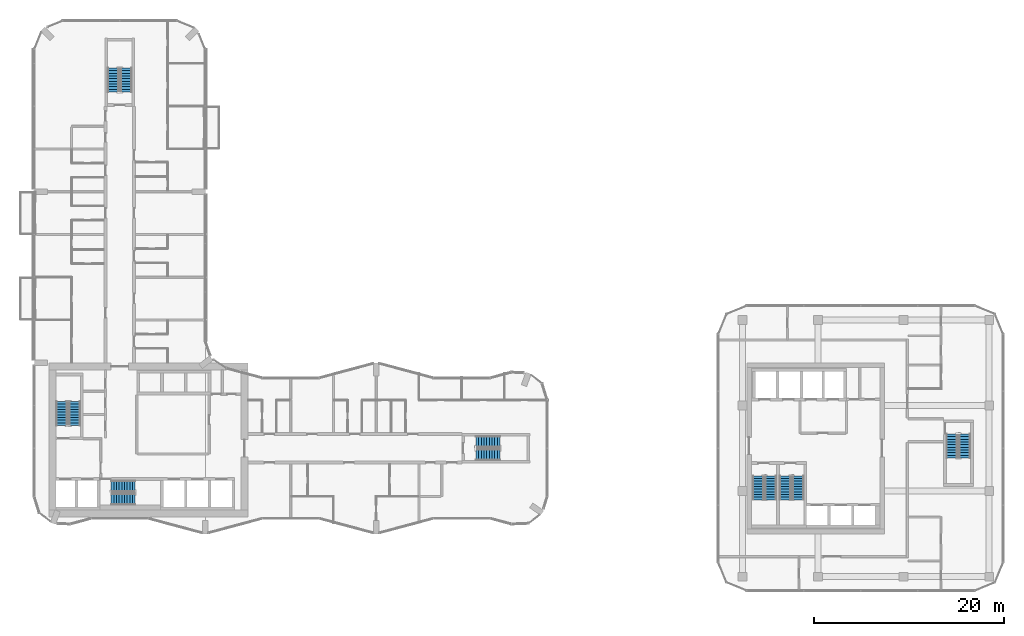
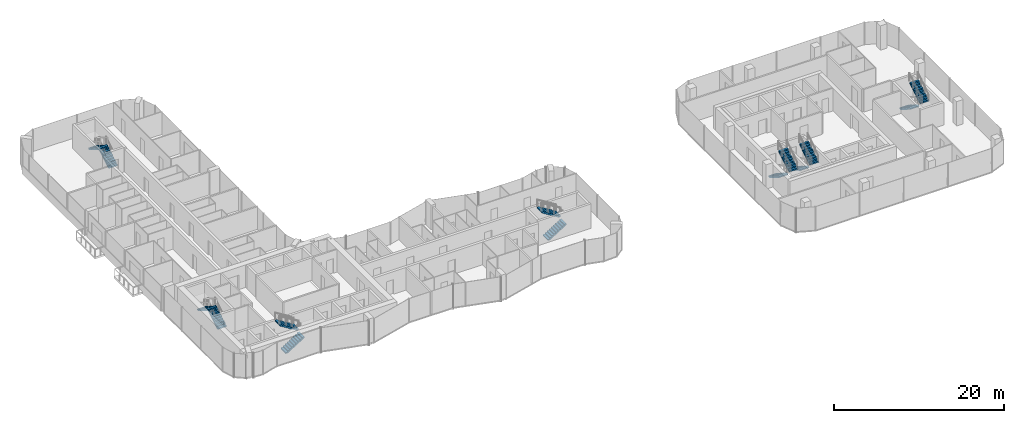
# One storey, part 21 of 24: 14 stair flights, 7 elements without a shape of their own.
"""IFC4 building model written with IfcOpenShell, lengths in metres."""

import ifcopenshell
import ifcopenshell.guid

model = None  # the IFC model being written
_history = None  # IfcOwnerHistory: only IFC2X3 demands one
_inside = {}  # id of a spatial element -> (the spatial element, [elements in it])
_under = {}  # id of a project, library or spatial element -> (it, [spatial elements below it])
_declared = {}  # id of a project -> (the project, [libraries it declares])
_typed = {}  # id of a type object -> (the type object, [elements of that type])
_made_of = {}  # id of a material, layer set ... -> (it, [elements and type objects made of it])


def new_model(schema):
    """Start an empty IFC model of exactly this schema.

    Asked for "IFC4X3", IfcOpenShell would pick the latest addendum, in which some entities
    have other attributes; the version numbers below select the first issue.
    IFC2X3 requires an IfcOwnerHistory on every rooted entity: one is made here for all.
    """
    global model, _history
    if schema == "IFC4X3":
        model = ifcopenshell.file(schema_version=(4, 3, 0, 0))
    else:
        model = ifcopenshell.file(schema=schema)
    _inside.clear()
    _under.clear()
    _declared.clear()
    _typed.clear()
    _made_of.clear()
    _history = None
    if model.schema == "IFC2X3":
        org = make("IfcOrganization", Name="unknown")
        user = make(
            "IfcPersonAndOrganization",
            ThePerson=make("IfcPerson", FamilyName="unknown"),
            TheOrganization=org,
        )
        app = make(
            "IfcApplication",
            ApplicationDeveloper=org,
            Version="unknown",
            ApplicationFullName="unknown",
            ApplicationIdentifier="unknown",
        )
        _history = make(
            "IfcOwnerHistory",
            OwningUser=user,
            OwningApplication=app,
            ChangeAction="ADDED",
            CreationDate=0,
        )
    return model


def make(cls, **values):
    """One entity of the class cls with the attributes given. An attribute that is None is left unset."""
    return model.create_entity(
        cls, **{name: value for name, value in values.items() if value is not None}
    )


def rooted(cls, **values):
    """An entity with a GlobalId (a new one), such as an element, a storey or a relation."""
    return make(cls, GlobalId=ifcopenshell.guid.new(), OwnerHistory=_history, **values)


def si_unit(unit_type, name, prefix=None):
    """IfcSIUnit, for example si_unit("LENGTHUNIT", "METRE", prefix="MILLI")."""
    return make("IfcSIUnit", UnitType=unit_type, Prefix=prefix, Name=name)


def assignment(units):
    """IfcUnitAssignment: the units of a project."""
    return None if units is None else make("IfcUnitAssignment", Units=units)


def point(xyz):
    """IfcCartesianPoint."""
    return None if xyz is None else make("IfcCartesianPoint", Coordinates=xyz)


def direction(xyz):
    """IfcDirection."""
    return None if xyz is None else make("IfcDirection", DirectionRatios=xyz)


def frame(location, z_axis=None, x_axis=None):
    """IfcAxis2Placement3D, a coordinate frame: its origin and axes. An axis left out is left unset."""
    return make(
        "IfcAxis2Placement3D",
        Location=point(location),
        Axis=direction(z_axis),
        RefDirection=direction(x_axis),
    )


def origin():
    """The frame at (0, 0, 0) with its axes left unset."""
    return frame((0.0, 0.0, 0.0))


def place(relative_to, where):
    """IfcLocalPlacement: puts the frame where relative to a parent placement (None: the world)."""
    return make(
        "IfcLocalPlacement", PlacementRelTo=relative_to, RelativePlacement=where
    )


def context(
    kind, dimensions, precision=None, world=None, true_north=None, identifier=None
):
    """IfcGeometricRepresentationContext, for example the 3D "Model" context."""
    return make(
        "IfcGeometricRepresentationContext",
        ContextIdentifier=identifier,
        ContextType=kind,
        CoordinateSpaceDimension=dimensions,
        Precision=precision,
        WorldCoordinateSystem=world,
        TrueNorth=true_north,
    )


def subcontext(parent, identifier, kind, view, scale=None):
    """IfcGeometricRepresentationSubContext, for example "Body" below "Model"."""
    return make(
        "IfcGeometricRepresentationSubContext",
        ContextIdentifier=identifier,
        ContextType=kind,
        ParentContext=parent,
        TargetScale=scale,
        TargetView=view,
    )


def project(units=None, contexts=None):
    """IfcProject with its units and contexts."""
    return rooted(
        "IfcProject",
        Name="project",
        RepresentationContexts=contexts,
        UnitsInContext=assignment(units),
    )


def spatial(cls, under=None, at=None, **own):
    """A site, building, storey or space (cls), placed at a placement, below another one or the project."""
    s = rooted(cls, ObjectPlacement=at, **own)
    if under is not None:
        _under.setdefault(under.id(), (under, []))[1].append(s)
    return s


def polyline(points):
    """IfcPolyline through the points."""
    return make("IfcPolyline", Points=[point(p) for p in points])


def outline(outer, holes=None, kind="AREA"):
    """IfcArbitraryClosedProfileDef: a profile drawn as a closed curve; with holes, ...WithVoids."""
    if holes is None:
        return make("IfcArbitraryClosedProfileDef", ProfileType=kind, OuterCurve=outer)
    return make(
        "IfcArbitraryProfileDefWithVoids",
        ProfileType=kind,
        OuterCurve=outer,
        InnerCurves=holes,
    )


def extrude(swept, where, along, depth):
    """IfcExtrudedAreaSolid: the profile swept, set in the frame where, extruded along a direction by depth."""
    return make(
        "IfcExtrudedAreaSolid",
        SweptArea=swept,
        Position=where,
        ExtrudedDirection=direction(along),
        Depth=depth,
    )


def shape(context_of_items, identifier, shape_type, items):
    """IfcShapeRepresentation: the items that make up one representation, for example the "Body"."""
    return make(
        "IfcShapeRepresentation",
        ContextOfItems=context_of_items,
        RepresentationIdentifier=identifier,
        RepresentationType=shape_type,
        Items=items,
    )


def material(Name=None, Category=None):
    """IfcMaterial."""
    return make("IfcMaterial", Name=Name, Category=Category)


def made_of(thing, what):
    """Note that an element or type object is made of a material, layer set ...; save() writes the relation."""
    if what is not None:
        _made_of.setdefault(what.id(), (what, []))[1].append(thing)
    return thing


def type_object(cls, material=None, **own):
    """A type object (cls), such as IfcWallType, which elements share."""
    return made_of(rooted(cls, **own), material)


def element(
    cls,
    number,
    at=None,
    inside=None,
    cuts=None,
    type_object=None,
    material=None,
    context=None,
    identifier="Body",
    shape_type=None,
    held_by="IfcProductDefinitionShape",
    body=None,
    shapes=None,
    **own,
):
    """One element of the class cls, such as IfcWall. Its Tag is "e" and its number.

    at: its placement. inside: the storey or other place that contains it. cuts: it is an
    opening in that element (IfcRelVoidsElement). A single representation is given by context,
    identifier, shape_type and body (its items); several are given by shapes. held_by: the class
    of the entity that holds the representations. save() writes the other relations.
    """
    e = rooted(cls, Tag="e%d" % number, ObjectPlacement=at, **own)
    if body is not None:
        shapes = [shape(context, identifier, shape_type, body)]
    if shapes is not None:
        e.Representation = make(held_by, Representations=shapes)
    if inside is not None:
        _inside.setdefault(inside.id(), (inside, []))[1].append(e)
    if cuts is not None:
        rooted(
            "IfcRelVoidsElement", RelatingBuildingElement=cuts, RelatedOpeningElement=e
        )
    if type_object is not None:
        _typed.setdefault(type_object.id(), (type_object, []))[1].append(e)
    return made_of(e, material)


def aggregate(whole, parts):
    """IfcRelAggregates: a whole, such as a stair, and the parts it consists of."""
    return rooted("IfcRelAggregates", RelatingObject=whole, RelatedObjects=parts)


def save(model, path):
    """Write the relations noted so far, then the file.

    IfcRelAggregates (storeys below a building ...), IfcRelContainedInSpatialStructure (elements
    in a storey), IfcRelDefinesByType, IfcRelAssociatesMaterial and IfcRelDeclares: one each for
    every whole, place, type object, material and project.
    """
    for whole, parts in _under.values():
        aggregate(whole, parts)
    for where, things in _inside.values():
        rooted(
            "IfcRelContainedInSpatialStructure",
            RelatedElements=things,
            RelatingStructure=where,
        )
    for kind, things in _typed.values():
        rooted("IfcRelDefinesByType", RelatedObjects=things, RelatingType=kind)
    for what, things in _made_of.values():
        rooted("IfcRelAssociatesMaterial", RelatedObjects=things, RelatingMaterial=what)
    for by, libraries in _declared.values():
        rooted("IfcRelDeclares", RelatingContext=by, RelatedDefinitions=libraries)
    model.write(path)


model = new_model("IFC4")

# Units and contexts
model_context = context("Model", 3, precision=1e-05, world=origin(), true_north=direction((0.0, 1.0)))
body_context = subcontext(model_context, "Body", "Model", "MODEL_VIEW")
ifc_project = project(units=[si_unit("LENGTHUNIT", "METRE"), si_unit("AREAUNIT", "SQUARE_METRE"), si_unit("VOLUMEUNIT", "CUBIC_METRE"), si_unit("PLANEANGLEUNIT", "RADIAN"), si_unit("MASSUNIT", "GRAM", prefix="KILO")], contexts=[model_context])

# Site, building, storey
site_placement = place(None, origin())
site = spatial("IfcSite", under=ifc_project, at=site_placement, CompositionType="ELEMENT")
building_placement = place(site_placement, origin())
building = spatial("IfcBuilding", under=site, at=building_placement, Name="Plateau Cross Towers", CompositionType="ELEMENT")
storey_placement = place(building_placement, frame((0.0, 0.0, 44.300048828125)))
storey = spatial("IfcBuildingStorey", under=building, at=storey_placement, Name="L10", CompositionType="ELEMENT", Elevation=44.300048828125)

# Stair, stair flights
ifc_material = material(Name="Concrete C40/50", Category="concrete")
stair_type = type_object("IfcStairType", Name="ST-TWR", PredefinedType="HALF_TURN_STAIR", material=ifc_material)
stair_1_placement = place(storey_placement, origin())
stair_1 = element("IfcStair", 1, at=stair_1_placement, inside=storey, type_object=stair_type, Name="L10 Protected Exit Stair ST-1", PredefinedType="HALF_TURN_STAIR")
stair_flight_type = type_object("IfcStairFlightType", Name="SFL-RC", PredefinedType="STRAIGHT", material=ifc_material)
stair_flight_1_placement = place(storey_placement, frame((4.25, 11.39990234375, 0.0), z_axis=(0.0, 0.0, 1.0), x_axis=(0.0, 1.0, 0.0)))
stair_flight_1 = element("IfcStairFlight", 2, at=stair_flight_1_placement, type_object=stair_flight_type, Name="ST-1 flight 1", NumberOfRisers=10, NumberOfTreads=9, PredefinedType="STRAIGHT", RiserHeight=0.175, TreadLength=0.28, context=body_context, shape_type="SweptSolid", body=[
    extrude(outline(polyline([(-0.0048828125, -0.010009765625), (-0.0048828125, 0.0), (0.0, 0.0), (0.0, 0.175048828125), (0.280029296875, 0.175048828125), (0.280029296875, 0.35009765625), (0.56005859375, 0.35009765625), (0.56005859375, 0.52490234375), (0.840087890625, 0.52490234375), (0.840087890625, 0.699951171875), (1.1201171875, 0.699951171875), (1.1201171875, 0.875), (1.39990234375, 0.875), (1.39990234375, 1.050048828125), (1.679931640625, 1.050048828125), (1.679931640625, 1.22509765625), (1.9599609375, 1.22509765625), (1.9599609375, 1.39990234375), (2.239990234375, 1.39990234375), (2.239990234375, 1.574951171875), (2.52001953125, 1.574951171875), (2.52490234375, 1.56494140625), (2.52490234375, 1.398193359375), (2.52001953125, 1.398193359375), (0.28271484375, 0.0), (0.02001953125, 0.0), (0.02001953125, -0.010009765625), (-0.0048828125, -0.010009765625)])), frame((0.0, 0.60009765625, 0.0), z_axis=(0.0, -1.0, 0.0), x_axis=(1.0, 0.0, 0.0)), (0.0, 0.0, 1.0), 1.199951171875),
])
stair_flight_2_placement = place(storey_placement, frame((2.89990234375, 13.919921875, 1.75), z_axis=(0.0, 0.0, 1.0), x_axis=(0.0, -1.0, 0.0)))
stair_flight_2 = element("IfcStairFlight", 3, at=stair_flight_2_placement, type_object=stair_flight_type, Name="ST-1 flight 2", NumberOfRisers=10, NumberOfTreads=9, PredefinedType="STRAIGHT", RiserHeight=0.175, TreadLength=0.28, context=body_context, shape_type="SweptSolid", body=[
    extrude(outline(polyline([(-0.0048828125, -0.010009765625), (-0.0048828125, 0.0), (0.0, 0.0), (0.0, 0.175048828125), (0.280029296875, 0.175048828125), (0.280029296875, 0.35009765625), (0.56005859375, 0.35009765625), (0.56005859375, 0.52490234375), (0.840087890625, 0.52490234375), (0.840087890625, 0.699951171875), (1.1201171875, 0.699951171875), (1.1201171875, 0.875), (1.39990234375, 0.875), (1.39990234375, 1.050048828125), (1.679931640625, 1.050048828125), (1.679931640625, 1.22509765625), (1.9599609375, 1.22509765625), (1.9599609375, 1.39990234375), (2.239990234375, 1.39990234375), (2.239990234375, 1.574951171875), (2.52001953125, 1.574951171875), (2.52490234375, 1.56494140625), (2.52490234375, 1.398193359375), (2.52001953125, 1.398193359375), (0.28271484375, 0.0), (0.02001953125, 0.0), (0.02001953125, -0.010009765625), (-0.0048828125, -0.010009765625)])), frame((0.0, 0.60009765625, 0.0), z_axis=(0.0, -1.0, 0.0), x_axis=(1.0, 0.0, 0.0)), (0.0, 0.0, 1.0), 1.199951171875),
])
aggregate(stair_1, [stair_flight_1, stair_flight_2])

stair_2_placement = place(storey_placement, origin())
stair_2 = element("IfcStair", 4, at=stair_2_placement, inside=storey, type_object=stair_type, Name="L10 Protected Exit Stair ST-2", PredefinedType="HALF_TURN_STAIR")
stair_flight_3_placement = place(storey_placement, frame((8.10009765625, 3.64990234375, 0.0), z_axis=(0.0, 0.0, 1.0), x_axis=(1.0, 0.0, 0.0)))
stair_flight_3 = element("IfcStairFlight", 5, at=stair_flight_3_placement, type_object=stair_flight_type, Name="ST-2 flight 1", NumberOfRisers=10, NumberOfTreads=9, PredefinedType="STRAIGHT", RiserHeight=0.175, TreadLength=0.28, context=body_context, shape_type="SweptSolid", body=[
    extrude(outline(polyline([(-0.0048828125, -0.010009765625), (-0.0048828125, 0.0), (0.0, 0.0), (0.0, 0.175048828125), (0.280029296875, 0.175048828125), (0.280029296875, 0.35009765625), (0.56005859375, 0.35009765625), (0.56005859375, 0.52490234375), (0.840087890625, 0.52490234375), (0.840087890625, 0.699951171875), (1.1201171875, 0.699951171875), (1.1201171875, 0.875), (1.39990234375, 0.875), (1.39990234375, 1.050048828125), (1.679931640625, 1.050048828125), (1.679931640625, 1.22509765625), (1.9599609375, 1.22509765625), (1.9599609375, 1.39990234375), (2.239990234375, 1.39990234375), (2.239990234375, 1.574951171875), (2.52001953125, 1.574951171875), (2.52490234375, 1.56494140625), (2.52490234375, 1.398193359375), (2.52001953125, 1.398193359375), (0.28271484375, 0.0), (0.02001953125, 0.0), (0.02001953125, -0.010009765625), (-0.0048828125, -0.010009765625)])), frame((0.0, 0.60009765625, 0.0), z_axis=(0.0, -1.0, 0.0), x_axis=(1.0, 0.0, 0.0)), (0.0, 0.0, 1.0), 1.199951171875),
])
stair_flight_4_placement = place(storey_placement, frame((10.6201171875, 5.0, 1.75), z_axis=(0.0, 0.0, 1.0), x_axis=(-1.0, 0.0, 0.0)))
stair_flight_4 = element("IfcStairFlight", 6, at=stair_flight_4_placement, type_object=stair_flight_type, Name="ST-2 flight 2", NumberOfRisers=10, NumberOfTreads=9, PredefinedType="STRAIGHT", RiserHeight=0.175, TreadLength=0.28, context=body_context, shape_type="SweptSolid", body=[
    extrude(outline(polyline([(-0.0048828125, -0.010009765625), (-0.0048828125, 0.0), (0.0, 0.0), (0.0, 0.175048828125), (0.280029296875, 0.175048828125), (0.280029296875, 0.35009765625), (0.56005859375, 0.35009765625), (0.56005859375, 0.52490234375), (0.840087890625, 0.52490234375), (0.840087890625, 0.699951171875), (1.1201171875, 0.699951171875), (1.1201171875, 0.875), (1.39990234375, 0.875), (1.39990234375, 1.050048828125), (1.679931640625, 1.050048828125), (1.679931640625, 1.22509765625), (1.9599609375, 1.22509765625), (1.9599609375, 1.39990234375), (2.239990234375, 1.39990234375), (2.239990234375, 1.574951171875), (2.52001953125, 1.574951171875), (2.52490234375, 1.56494140625), (2.52490234375, 1.398193359375), (2.52001953125, 1.398193359375), (0.28271484375, 0.0), (0.02001953125, 0.0), (0.02001953125, -0.010009765625), (-0.0048828125, -0.010009765625)])), frame((0.0, 0.60009765625, 0.0), z_axis=(0.0, -1.0, 0.0), x_axis=(1.0, 0.0, 0.0)), (0.0, 0.0, 1.0), 1.199951171875),
])
aggregate(stair_2, [stair_flight_3, stair_flight_4])

stair_3_placement = place(storey_placement, origin())
stair_3 = element("IfcStair", 7, at=stair_3_placement, inside=storey, type_object=stair_type, Name="L10 Protected Exit Stair SB-1", PredefinedType="HALF_TURN_STAIR")
stair_flight_5_placement = place(storey_placement, frame((76.199951171875, 6.10009765625, 0.0), z_axis=(0.0, 0.0, 1.0), x_axis=(0.0, -1.0, 0.0)))
stair_flight_5 = element("IfcStairFlight", 8, at=stair_flight_5_placement, type_object=stair_flight_type, Name="SB-1 flight 1", NumberOfRisers=10, NumberOfTreads=9, PredefinedType="STRAIGHT", RiserHeight=0.175, TreadLength=0.28, context=body_context, shape_type="SweptSolid", body=[
    extrude(outline(polyline([(-0.0048828125, -0.010009765625), (-0.0048828125, 0.0), (0.0, 0.0), (0.0, 0.175048828125), (0.280029296875, 0.175048828125), (0.280029296875, 0.35009765625), (0.56005859375, 0.35009765625), (0.56005859375, 0.52490234375), (0.840087890625, 0.52490234375), (0.840087890625, 0.699951171875), (1.1201171875, 0.699951171875), (1.1201171875, 0.875), (1.39990234375, 0.875), (1.39990234375, 1.050048828125), (1.679931640625, 1.050048828125), (1.679931640625, 1.22509765625), (1.9599609375, 1.22509765625), (1.9599609375, 1.39990234375), (2.239990234375, 1.39990234375), (2.239990234375, 1.574951171875), (2.52001953125, 1.574951171875), (2.52490234375, 1.56494140625), (2.52490234375, 1.398193359375), (2.52001953125, 1.398193359375), (0.28271484375, 0.0), (0.02001953125, 0.0), (0.02001953125, -0.010009765625), (-0.0048828125, -0.010009765625)])), frame((0.0, 0.60009765625, 0.0), z_axis=(0.0, -1.0, 0.0), x_axis=(1.0, 0.0, 0.0)), (0.0, 0.0, 1.0), 1.199951171875),
])
stair_flight_6_placement = place(storey_placement, frame((77.550048828125, 3.580078125, 1.75), z_axis=(0.0, 0.0, 1.0), x_axis=(0.0, 1.0, 0.0)))
stair_flight_6 = element("IfcStairFlight", 9, at=stair_flight_6_placement, type_object=stair_flight_type, Name="SB-1 flight 2", NumberOfRisers=10, NumberOfTreads=9, PredefinedType="STRAIGHT", RiserHeight=0.175, TreadLength=0.28, context=body_context, shape_type="SweptSolid", body=[
    extrude(outline(polyline([(-0.0048828125, -0.010009765625), (-0.0048828125, 0.0), (0.0, 0.0), (0.0, 0.175048828125), (0.280029296875, 0.175048828125), (0.280029296875, 0.35009765625), (0.56005859375, 0.35009765625), (0.56005859375, 0.52490234375), (0.840087890625, 0.52490234375), (0.840087890625, 0.699951171875), (1.1201171875, 0.699951171875), (1.1201171875, 0.875), (1.39990234375, 0.875), (1.39990234375, 1.050048828125), (1.679931640625, 1.050048828125), (1.679931640625, 1.22509765625), (1.9599609375, 1.22509765625), (1.9599609375, 1.39990234375), (2.239990234375, 1.39990234375), (2.239990234375, 1.574951171875), (2.52001953125, 1.574951171875), (2.52490234375, 1.56494140625), (2.52490234375, 1.398193359375), (2.52001953125, 1.398193359375), (0.28271484375, 0.0), (0.02001953125, 0.0), (0.02001953125, -0.010009765625), (-0.0048828125, -0.010009765625)])), frame((0.0, 0.60009765625, 0.0), z_axis=(0.0, -1.0, 0.0), x_axis=(1.0, 0.0, 0.0)), (0.0, 0.0, 1.0), 1.199951171875),
])
aggregate(stair_3, [stair_flight_5, stair_flight_6])

stair_4_placement = place(storey_placement, origin())
stair_4 = element("IfcStair", 10, at=stair_4_placement, inside=storey, type_object=stair_type, Name="L10 Protected Exit Stair SB-2", PredefinedType="HALF_TURN_STAIR")
stair_flight_7_placement = place(storey_placement, frame((79.050048828125, 6.10009765625, 0.0), z_axis=(0.0, 0.0, 1.0), x_axis=(0.0, -1.0, 0.0)))
stair_flight_7 = element("IfcStairFlight", 11, at=stair_flight_7_placement, type_object=stair_flight_type, Name="SB-2 flight 1", NumberOfRisers=10, NumberOfTreads=9, PredefinedType="STRAIGHT", RiserHeight=0.175, TreadLength=0.28, context=body_context, shape_type="SweptSolid", body=[
    extrude(outline(polyline([(-0.0048828125, -0.010009765625), (-0.0048828125, 0.0), (0.0, 0.0), (0.0, 0.175048828125), (0.280029296875, 0.175048828125), (0.280029296875, 0.35009765625), (0.56005859375, 0.35009765625), (0.56005859375, 0.52490234375), (0.840087890625, 0.52490234375), (0.840087890625, 0.699951171875), (1.1201171875, 0.699951171875), (1.1201171875, 0.875), (1.39990234375, 0.875), (1.39990234375, 1.050048828125), (1.679931640625, 1.050048828125), (1.679931640625, 1.22509765625), (1.9599609375, 1.22509765625), (1.9599609375, 1.39990234375), (2.239990234375, 1.39990234375), (2.239990234375, 1.574951171875), (2.52001953125, 1.574951171875), (2.52490234375, 1.56494140625), (2.52490234375, 1.398193359375), (2.52001953125, 1.398193359375), (0.28271484375, 0.0), (0.02001953125, 0.0), (0.02001953125, -0.010009765625), (-0.0048828125, -0.010009765625)])), frame((0.0, 0.60009765625, 0.0), z_axis=(0.0, -1.0, 0.0), x_axis=(1.0, 0.0, 0.0)), (0.0, 0.0, 1.0), 1.199951171875),
])
stair_flight_8_placement = place(storey_placement, frame((80.39990234375, 3.580078125, 1.75), z_axis=(0.0, 0.0, 1.0), x_axis=(0.0, 1.0, 0.0)))
stair_flight_8 = element("IfcStairFlight", 12, at=stair_flight_8_placement, type_object=stair_flight_type, Name="SB-2 flight 2", NumberOfRisers=10, NumberOfTreads=9, PredefinedType="STRAIGHT", RiserHeight=0.175, TreadLength=0.28, context=body_context, shape_type="SweptSolid", body=[
    extrude(outline(polyline([(-0.0048828125, -0.010009765625), (-0.0048828125, 0.0), (0.0, 0.0), (0.0, 0.175048828125), (0.280029296875, 0.175048828125), (0.280029296875, 0.35009765625), (0.56005859375, 0.35009765625), (0.56005859375, 0.52490234375), (0.840087890625, 0.52490234375), (0.840087890625, 0.699951171875), (1.1201171875, 0.699951171875), (1.1201171875, 0.875), (1.39990234375, 0.875), (1.39990234375, 1.050048828125), (1.679931640625, 1.050048828125), (1.679931640625, 1.22509765625), (1.9599609375, 1.22509765625), (1.9599609375, 1.39990234375), (2.239990234375, 1.39990234375), (2.239990234375, 1.574951171875), (2.52001953125, 1.574951171875), (2.52490234375, 1.56494140625), (2.52490234375, 1.398193359375), (2.52001953125, 1.398193359375), (0.28271484375, 0.0), (0.02001953125, 0.0), (0.02001953125, -0.010009765625), (-0.0048828125, -0.010009765625)])), frame((0.0, 0.60009765625, 0.0), z_axis=(0.0, -1.0, 0.0), x_axis=(1.0, 0.0, 0.0)), (0.0, 0.0, 1.0), 1.199951171875),
])
aggregate(stair_4, [stair_flight_7, stair_flight_8])

stair_5_placement = place(storey_placement, origin())
stair_5 = element("IfcStair", 13, at=stair_5_placement, inside=storey, type_object=stair_type, Name="L10 Protected Exit Stair SB-3", PredefinedType="HALF_TURN_STAIR")
stair_flight_9_placement = place(storey_placement, frame((96.60009765625, 10.5, 0.0), z_axis=(0.0, 0.0, 1.0), x_axis=(0.0, -1.0, 0.0)))
stair_flight_9 = element("IfcStairFlight", 14, at=stair_flight_9_placement, type_object=stair_flight_type, Name="SB-3 flight 1", NumberOfRisers=10, NumberOfTreads=9, PredefinedType="STRAIGHT", RiserHeight=0.175, TreadLength=0.28, context=body_context, shape_type="SweptSolid", body=[
    extrude(outline(polyline([(-0.0048828125, -0.010009765625), (-0.0048828125, 0.0), (0.0, 0.0), (0.0, 0.175048828125), (0.280029296875, 0.175048828125), (0.280029296875, 0.35009765625), (0.56005859375, 0.35009765625), (0.56005859375, 0.52490234375), (0.840087890625, 0.52490234375), (0.840087890625, 0.699951171875), (1.1201171875, 0.699951171875), (1.1201171875, 0.875), (1.39990234375, 0.875), (1.39990234375, 1.050048828125), (1.679931640625, 1.050048828125), (1.679931640625, 1.22509765625), (1.9599609375, 1.22509765625), (1.9599609375, 1.39990234375), (2.239990234375, 1.39990234375), (2.239990234375, 1.574951171875), (2.52001953125, 1.574951171875), (2.52490234375, 1.56494140625), (2.52490234375, 1.398193359375), (2.52001953125, 1.398193359375), (0.28271484375, 0.0), (0.02001953125, 0.0), (0.02001953125, -0.010009765625), (-0.0048828125, -0.010009765625)])), frame((0.0, 0.60009765625, 0.0), z_axis=(0.0, -1.0, 0.0), x_axis=(1.0, 0.0, 0.0)), (0.0, 0.0, 1.0), 1.199951171875),
])
stair_flight_10_placement = place(storey_placement, frame((97.949951171875, 7.97998046875, 1.75), z_axis=(0.0, 0.0, 1.0), x_axis=(0.0, 1.0, 0.0)))
stair_flight_10 = element("IfcStairFlight", 15, at=stair_flight_10_placement, type_object=stair_flight_type, Name="SB-3 flight 2", NumberOfRisers=10, NumberOfTreads=9, PredefinedType="STRAIGHT", RiserHeight=0.175, TreadLength=0.28, context=body_context, shape_type="SweptSolid", body=[
    extrude(outline(polyline([(-0.0048828125, -0.010009765625), (-0.0048828125, 0.0), (0.0, 0.0), (0.0, 0.175048828125), (0.280029296875, 0.175048828125), (0.280029296875, 0.35009765625), (0.56005859375, 0.35009765625), (0.56005859375, 0.52490234375), (0.840087890625, 0.52490234375), (0.840087890625, 0.699951171875), (1.1201171875, 0.699951171875), (1.1201171875, 0.875), (1.39990234375, 0.875), (1.39990234375, 1.050048828125), (1.679931640625, 1.050048828125), (1.679931640625, 1.22509765625), (1.9599609375, 1.22509765625), (1.9599609375, 1.39990234375), (2.239990234375, 1.39990234375), (2.239990234375, 1.574951171875), (2.52001953125, 1.574951171875), (2.52490234375, 1.56494140625), (2.52490234375, 1.398193359375), (2.52001953125, 1.398193359375), (0.28271484375, 0.0), (0.02001953125, 0.0), (0.02001953125, -0.010009765625), (-0.0048828125, -0.010009765625)])), frame((0.0, 0.60009765625, 0.0), z_axis=(0.0, -1.0, 0.0), x_axis=(1.0, 0.0, 0.0)), (0.0, 0.0, 1.0), 1.199951171875),
])
aggregate(stair_5, [stair_flight_9, stair_flight_10])

stair_6_placement = place(storey_placement, origin())
stair_6 = element("IfcStair", 16, at=stair_6_placement, inside=storey, type_object=stair_type, Name="L10 Protected Exit Stair E", PredefinedType="HALF_TURN_STAIR")
stair_flight_11_placement = place(storey_placement, frame((46.5, 8.324951171875, 0.0), z_axis=(0.0, 0.0, 1.0), x_axis=(1.0, 0.0, 0.0)))
stair_flight_11 = element("IfcStairFlight", 17, at=stair_flight_11_placement, type_object=stair_flight_type, Name="ES-E flight 1", NumberOfRisers=10, NumberOfTreads=9, PredefinedType="STRAIGHT", RiserHeight=0.175, TreadLength=0.28, context=body_context, shape_type="SweptSolid", body=[
    extrude(outline(polyline([(-0.0048828125, -0.010009765625), (-0.0048828125, 0.0), (0.0, 0.0), (0.0, 0.175048828125), (0.280029296875, 0.175048828125), (0.280029296875, 0.35009765625), (0.56005859375, 0.35009765625), (0.56005859375, 0.52490234375), (0.840087890625, 0.52490234375), (0.840087890625, 0.699951171875), (1.1201171875, 0.699951171875), (1.1201171875, 0.875), (1.39990234375, 0.875), (1.39990234375, 1.050048828125), (1.679931640625, 1.050048828125), (1.679931640625, 1.22509765625), (1.9599609375, 1.22509765625), (1.9599609375, 1.39990234375), (2.239990234375, 1.39990234375), (2.239990234375, 1.574951171875), (2.52001953125, 1.574951171875), (2.52490234375, 1.56494140625), (2.52490234375, 1.398193359375), (2.52001953125, 1.398193359375), (0.28271484375, 0.0), (0.02001953125, 0.0), (0.02001953125, -0.010009765625), (-0.0048828125, -0.010009765625)])), frame((0.0, 0.60009765625, 0.0), z_axis=(0.0, -1.0, 0.0), x_axis=(1.0, 0.0, 0.0)), (0.0, 0.0, 1.0), 1.199951171875),
])
stair_flight_12_placement = place(storey_placement, frame((49.02001953125, 9.675048828125, 1.75), z_axis=(0.0, 0.0, 1.0), x_axis=(-1.0, 0.0, 0.0)))
stair_flight_12 = element("IfcStairFlight", 18, at=stair_flight_12_placement, type_object=stair_flight_type, Name="ES-E flight 2", NumberOfRisers=10, NumberOfTreads=9, PredefinedType="STRAIGHT", RiserHeight=0.175, TreadLength=0.28, context=body_context, shape_type="SweptSolid", body=[
    extrude(outline(polyline([(-0.0048828125, -0.010009765625), (-0.0048828125, 0.0), (0.0, 0.0), (0.0, 0.175048828125), (0.280029296875, 0.175048828125), (0.280029296875, 0.35009765625), (0.56005859375, 0.35009765625), (0.56005859375, 0.52490234375), (0.840087890625, 0.52490234375), (0.840087890625, 0.699951171875), (1.1201171875, 0.699951171875), (1.1201171875, 0.875), (1.39990234375, 0.875), (1.39990234375, 1.050048828125), (1.679931640625, 1.050048828125), (1.679931640625, 1.22509765625), (1.9599609375, 1.22509765625), (1.9599609375, 1.39990234375), (2.239990234375, 1.39990234375), (2.239990234375, 1.574951171875), (2.52001953125, 1.574951171875), (2.52490234375, 1.56494140625), (2.52490234375, 1.398193359375), (2.52001953125, 1.398193359375), (0.28271484375, 0.0), (0.02001953125, 0.0), (0.02001953125, -0.010009765625), (-0.0048828125, -0.010009765625)])), frame((0.0, 0.60009765625, 0.0), z_axis=(0.0, -1.0, 0.0), x_axis=(1.0, 0.0, 0.0)), (0.0, 0.0, 1.0), 1.199951171875),
])
aggregate(stair_6, [stair_flight_11, stair_flight_12])

stair_7_placement = place(storey_placement, origin())
stair_7 = element("IfcStair", 19, at=stair_7_placement, inside=storey, type_object=stair_type, Name="L10 Protected Exit Stair N", PredefinedType="HALF_TURN_STAIR")
stair_flight_13_placement = place(storey_placement, frame((9.675048828125, 46.5, 0.0), z_axis=(0.0, 0.0, 1.0), x_axis=(0.0, 1.0, 0.0)))
stair_flight_13 = element("IfcStairFlight", 20, at=stair_flight_13_placement, type_object=stair_flight_type, Name="ES-N flight 1", NumberOfRisers=10, NumberOfTreads=9, PredefinedType="STRAIGHT", RiserHeight=0.175, TreadLength=0.28, context=body_context, shape_type="SweptSolid", body=[
    extrude(outline(polyline([(-0.0048828125, -0.010009765625), (-0.0048828125, 0.0), (0.0, 0.0), (0.0, 0.175048828125), (0.280029296875, 0.175048828125), (0.280029296875, 0.35009765625), (0.56005859375, 0.35009765625), (0.56005859375, 0.52490234375), (0.840087890625, 0.52490234375), (0.840087890625, 0.699951171875), (1.1201171875, 0.699951171875), (1.1201171875, 0.875), (1.39990234375, 0.875), (1.39990234375, 1.050048828125), (1.679931640625, 1.050048828125), (1.679931640625, 1.22509765625), (1.9599609375, 1.22509765625), (1.9599609375, 1.39990234375), (2.239990234375, 1.39990234375), (2.239990234375, 1.574951171875), (2.52001953125, 1.574951171875), (2.52490234375, 1.56494140625), (2.52490234375, 1.398193359375), (2.52001953125, 1.398193359375), (0.28271484375, 0.0), (0.02001953125, 0.0), (0.02001953125, -0.010009765625), (-0.0048828125, -0.010009765625)])), frame((0.0, 0.60009765625, 0.0), z_axis=(0.0, -1.0, 0.0), x_axis=(1.0, 0.0, 0.0)), (0.0, 0.0, 1.0), 1.199951171875),
])
stair_flight_14_placement = place(storey_placement, frame((8.324951171875, 49.02001953125, 1.75), z_axis=(0.0, 0.0, 1.0), x_axis=(0.0, -1.0, 0.0)))
stair_flight_14 = element("IfcStairFlight", 21, at=stair_flight_14_placement, type_object=stair_flight_type, Name="ES-N flight 2", NumberOfRisers=10, NumberOfTreads=9, PredefinedType="STRAIGHT", RiserHeight=0.175, TreadLength=0.28, context=body_context, shape_type="SweptSolid", body=[
    extrude(outline(polyline([(-0.0048828125, -0.010009765625), (-0.0048828125, 0.0), (0.0, 0.0), (0.0, 0.175048828125), (0.280029296875, 0.175048828125), (0.280029296875, 0.35009765625), (0.56005859375, 0.35009765625), (0.56005859375, 0.52490234375), (0.840087890625, 0.52490234375), (0.840087890625, 0.699951171875), (1.1201171875, 0.699951171875), (1.1201171875, 0.875), (1.39990234375, 0.875), (1.39990234375, 1.050048828125), (1.679931640625, 1.050048828125), (1.679931640625, 1.22509765625), (1.9599609375, 1.22509765625), (1.9599609375, 1.39990234375), (2.239990234375, 1.39990234375), (2.239990234375, 1.574951171875), (2.52001953125, 1.574951171875), (2.52490234375, 1.56494140625), (2.52490234375, 1.398193359375), (2.52001953125, 1.398193359375), (0.28271484375, 0.0), (0.02001953125, 0.0), (0.02001953125, -0.010009765625), (-0.0048828125, -0.010009765625)])), frame((0.0, 0.60009765625, 0.0), z_axis=(0.0, -1.0, 0.0), x_axis=(1.0, 0.0, 0.0)), (0.0, 0.0, 1.0), 1.199951171875),
])
aggregate(stair_7, [stair_flight_13, stair_flight_14])

save(model, "model.ifc")
